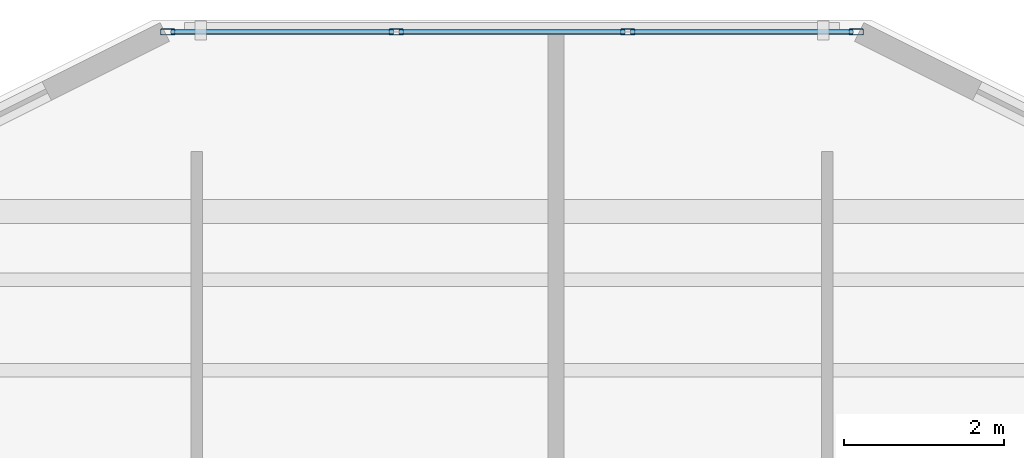
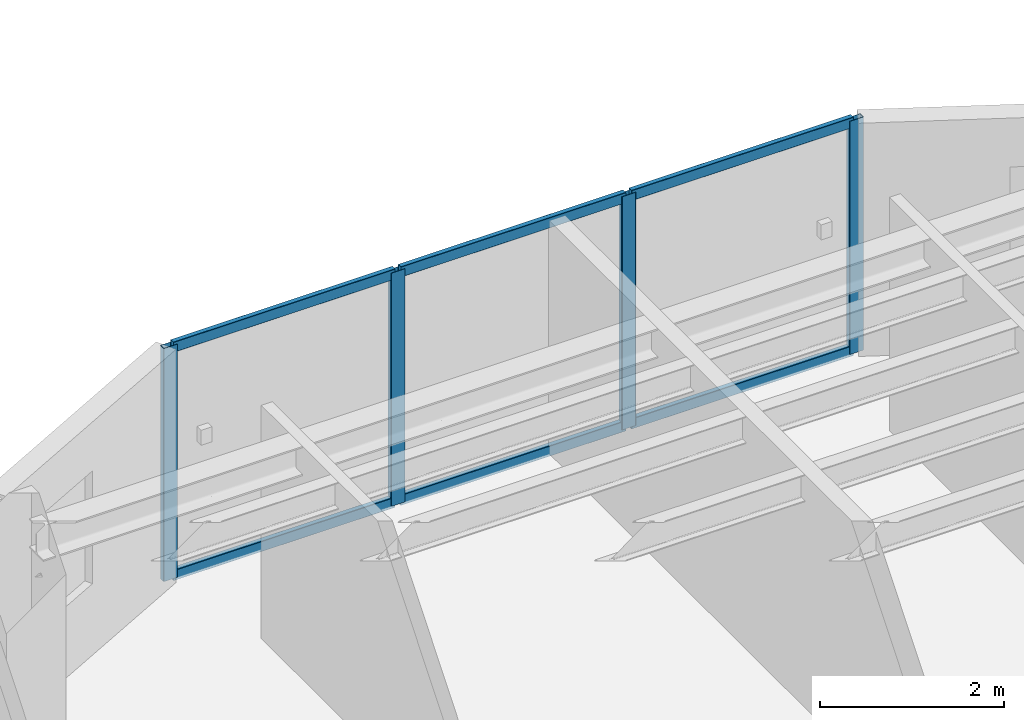
# One storey, part 4 of 14: 10 members, 1 element without a shape of its own.
"""IFC4 building model written with IfcOpenShell, lengths in metres."""

import ifcopenshell
import ifcopenshell.guid

model = None  # the IFC model being written
_history = None  # IfcOwnerHistory: only IFC2X3 demands one
_inside = {}  # id of a spatial element -> (the spatial element, [elements in it])
_under = {}  # id of a project, library or spatial element -> (it, [spatial elements below it])
_declared = {}  # id of a project -> (the project, [libraries it declares])
_typed = {}  # id of a type object -> (the type object, [elements of that type])
_made_of = {}  # id of a material, layer set ... -> (it, [elements and type objects made of it])


def new_model(schema):
    """Start an empty IFC model of exactly this schema.

    Asked for "IFC4X3", IfcOpenShell would pick the latest addendum, in which some entities
    have other attributes; the version numbers below select the first issue.
    IFC2X3 requires an IfcOwnerHistory on every rooted entity: one is made here for all.
    """
    global model, _history
    if schema == "IFC4X3":
        model = ifcopenshell.file(schema_version=(4, 3, 0, 0))
    else:
        model = ifcopenshell.file(schema=schema)
    _inside.clear()
    _under.clear()
    _declared.clear()
    _typed.clear()
    _made_of.clear()
    _history = None
    if model.schema == "IFC2X3":
        org = make("IfcOrganization", Name="unknown")
        user = make(
            "IfcPersonAndOrganization",
            ThePerson=make("IfcPerson", FamilyName="unknown"),
            TheOrganization=org,
        )
        app = make(
            "IfcApplication",
            ApplicationDeveloper=org,
            Version="unknown",
            ApplicationFullName="unknown",
            ApplicationIdentifier="unknown",
        )
        _history = make(
            "IfcOwnerHistory",
            OwningUser=user,
            OwningApplication=app,
            ChangeAction="ADDED",
            CreationDate=0,
        )
    return model


def make(cls, **values):
    """One entity of the class cls with the attributes given. An attribute that is None is left unset."""
    return model.create_entity(
        cls, **{name: value for name, value in values.items() if value is not None}
    )


def rooted(cls, **values):
    """An entity with a GlobalId (a new one), such as an element, a storey or a relation."""
    return make(cls, GlobalId=ifcopenshell.guid.new(), OwnerHistory=_history, **values)


def si_unit(unit_type, name, prefix=None):
    """IfcSIUnit, for example si_unit("LENGTHUNIT", "METRE", prefix="MILLI")."""
    return make("IfcSIUnit", UnitType=unit_type, Prefix=prefix, Name=name)


def assignment(units):
    """IfcUnitAssignment: the units of a project."""
    return None if units is None else make("IfcUnitAssignment", Units=units)


def point(xyz):
    """IfcCartesianPoint."""
    return None if xyz is None else make("IfcCartesianPoint", Coordinates=xyz)


def direction(xyz):
    """IfcDirection."""
    return None if xyz is None else make("IfcDirection", DirectionRatios=xyz)


def frame(location, z_axis=None, x_axis=None):
    """IfcAxis2Placement3D, a coordinate frame: its origin and axes. An axis left out is left unset."""
    return make(
        "IfcAxis2Placement3D",
        Location=point(location),
        Axis=direction(z_axis),
        RefDirection=direction(x_axis),
    )


def frame_2d(location, x_axis=None):
    """IfcAxis2Placement2D, a coordinate frame in the plane: its origin and x axis."""
    return make(
        "IfcAxis2Placement2D", Location=point(location), RefDirection=direction(x_axis)
    )


def origin():
    """The frame at (0, 0, 0) with its axes left unset."""
    return frame((0.0, 0.0, 0.0))


def origin_2d():
    """The frame at (0, 0) in the plane with its x axis left unset."""
    return frame_2d((0.0, 0.0))


def place(relative_to, where):
    """IfcLocalPlacement: puts the frame where relative to a parent placement (None: the world)."""
    return make(
        "IfcLocalPlacement", PlacementRelTo=relative_to, RelativePlacement=where
    )


def context(
    kind, dimensions, precision=None, world=None, true_north=None, identifier=None
):
    """IfcGeometricRepresentationContext, for example the 3D "Model" context."""
    return make(
        "IfcGeometricRepresentationContext",
        ContextIdentifier=identifier,
        ContextType=kind,
        CoordinateSpaceDimension=dimensions,
        Precision=precision,
        WorldCoordinateSystem=world,
        TrueNorth=true_north,
    )


def subcontext(parent, identifier, kind, view, scale=None):
    """IfcGeometricRepresentationSubContext, for example "Body" below "Model"."""
    return make(
        "IfcGeometricRepresentationSubContext",
        ContextIdentifier=identifier,
        ContextType=kind,
        ParentContext=parent,
        TargetScale=scale,
        TargetView=view,
    )


def project(units=None, contexts=None):
    """IfcProject with its units and contexts."""
    return rooted(
        "IfcProject",
        Name="project",
        RepresentationContexts=contexts,
        UnitsInContext=assignment(units),
    )


def spatial(cls, under=None, at=None, **own):
    """A site, building, storey or space (cls), placed at a placement, below another one or the project."""
    s = rooted(cls, ObjectPlacement=at, **own)
    if under is not None:
        _under.setdefault(under.id(), (under, []))[1].append(s)
    return s


def profile(cls, at=None, kind="AREA", **sizes):
    """A parametric profile (cls). Its sizes go by their IFC names, for example OverallWidth=200.0."""
    return make(cls, ProfileType=kind, Position=at, **sizes)


def hollow_rectangle(**sizes):
    """IfcRectangleHollowProfileDef."""
    return profile("IfcRectangleHollowProfileDef", **sizes)


def extrude(swept, where, along, depth):
    """IfcExtrudedAreaSolid: the profile swept, set in the frame where, extruded along a direction by depth."""
    return make(
        "IfcExtrudedAreaSolid",
        SweptArea=swept,
        Position=where,
        ExtrudedDirection=direction(along),
        Depth=depth,
    )


def shape(context_of_items, identifier, shape_type, items):
    """IfcShapeRepresentation: the items that make up one representation, for example the "Body"."""
    return make(
        "IfcShapeRepresentation",
        ContextOfItems=context_of_items,
        RepresentationIdentifier=identifier,
        RepresentationType=shape_type,
        Items=items,
    )


def material(Name=None, Category=None):
    """IfcMaterial."""
    return make("IfcMaterial", Name=Name, Category=Category)


def layer(
    of_material, thickness, ventilated=None, Name=None, Category=None, Priority=None
):
    """IfcMaterialLayer: one layer of a wall or slab, of a material (None: an air gap)."""
    return make(
        "IfcMaterialLayer",
        Material=of_material,
        LayerThickness=thickness,
        IsVentilated=ventilated,
        Name=Name,
        Category=Category,
        Priority=Priority,
    )


def layer_set(layers, Name=None):
    """IfcMaterialLayerSet."""
    return make("IfcMaterialLayerSet", MaterialLayers=layers, LayerSetName=Name)


def material_profile(
    of_material, cross_section, Name=None, Category=None, Priority=None
):
    """IfcMaterialProfile: a cross section and its material."""
    return make(
        "IfcMaterialProfile",
        Name=Name,
        Material=of_material,
        Profile=cross_section,
        Priority=Priority,
        Category=Category,
    )


def profile_set(profiles, Name=None, composite=None):
    """IfcMaterialProfileSet."""
    return make(
        "IfcMaterialProfileSet",
        Name=Name,
        MaterialProfiles=profiles,
        CompositeProfile=composite,
    )


def made_of(thing, what):
    """Note that an element or type object is made of a material, layer set ...; save() writes the relation."""
    if what is not None:
        _made_of.setdefault(what.id(), (what, []))[1].append(thing)
    return thing


def type_object(cls, material=None, **own):
    """A type object (cls), such as IfcWallType, which elements share."""
    return made_of(rooted(cls, **own), material)


def element(
    cls,
    number,
    at=None,
    inside=None,
    cuts=None,
    type_object=None,
    material=None,
    context=None,
    identifier="Body",
    shape_type=None,
    held_by="IfcProductDefinitionShape",
    body=None,
    shapes=None,
    **own,
):
    """One element of the class cls, such as IfcWall. Its Tag is "e" and its number.

    at: its placement. inside: the storey or other place that contains it. cuts: it is an
    opening in that element (IfcRelVoidsElement). A single representation is given by context,
    identifier, shape_type and body (its items); several are given by shapes. held_by: the class
    of the entity that holds the representations. save() writes the other relations.
    """
    e = rooted(cls, Tag="e%d" % number, ObjectPlacement=at, **own)
    if body is not None:
        shapes = [shape(context, identifier, shape_type, body)]
    if shapes is not None:
        e.Representation = make(held_by, Representations=shapes)
    if inside is not None:
        _inside.setdefault(inside.id(), (inside, []))[1].append(e)
    if cuts is not None:
        rooted(
            "IfcRelVoidsElement", RelatingBuildingElement=cuts, RelatedOpeningElement=e
        )
    if type_object is not None:
        _typed.setdefault(type_object.id(), (type_object, []))[1].append(e)
    return made_of(e, material)


def aggregate(whole, parts):
    """IfcRelAggregates: a whole, such as a stair, and the parts it consists of."""
    return rooted("IfcRelAggregates", RelatingObject=whole, RelatedObjects=parts)


def save(model, path):
    """Write the relations noted so far, then the file.

    IfcRelAggregates (storeys below a building ...), IfcRelContainedInSpatialStructure (elements
    in a storey), IfcRelDefinesByType, IfcRelAssociatesMaterial and IfcRelDeclares: one each for
    every whole, place, type object, material and project.
    """
    for whole, parts in _under.values():
        aggregate(whole, parts)
    for where, things in _inside.values():
        rooted(
            "IfcRelContainedInSpatialStructure",
            RelatedElements=things,
            RelatingStructure=where,
        )
    for kind, things in _typed.values():
        rooted("IfcRelDefinesByType", RelatedObjects=things, RelatingType=kind)
    for what, things in _made_of.values():
        rooted("IfcRelAssociatesMaterial", RelatedObjects=things, RelatingMaterial=what)
    for by, libraries in _declared.values():
        rooted("IfcRelDeclares", RelatingContext=by, RelatedDefinitions=libraries)
    model.write(path)


model = new_model("IFC4")

# Units and contexts
model_context = context("Model", 3, precision=1e-05, world=origin(), true_north=direction((0.0, 1.0)))
body_context = subcontext(model_context, "Body", "Model", "MODEL_VIEW")
ifc_project = project(units=[si_unit("LENGTHUNIT", "METRE"), si_unit("AREAUNIT", "SQUARE_METRE"), si_unit("VOLUMEUNIT", "CUBIC_METRE"), si_unit("PLANEANGLEUNIT", "RADIAN"), si_unit("MASSUNIT", "GRAM", prefix="KILO")], contexts=[model_context])

# Site, building, storey
site_placement = place(None, origin())
site = spatial("IfcSite", under=ifc_project, at=site_placement, CompositionType="ELEMENT")
building_placement = place(site_placement, origin())
building = spatial("IfcBuilding", under=site, at=building_placement, Name="Tarnavaz Court Tower", CompositionType="ELEMENT")
storey_placement = place(building_placement, frame((0.0, 0.0, 190.25)))
storey = spatial("IfcBuildingStorey", under=building, at=storey_placement, Name="L51", CompositionType="ELEMENT", Elevation=190.25)

# Curtain wall, members
ifc_material_1 = material(Name="Anodised Aluminium 6063-T6 and Solar Low-E Glazing", Category="aluminium")
ifc_layer = layer(ifc_material_1, 0.159912109375)
ifc_layer_set = layer_set([ifc_layer], Name="Anodised Aluminium 6063-T6 and Solar Low-E Glazing")
curtain_wall_type = type_object("IfcCurtainWallType", Name="CW-SYS-03", PredefinedType="NOTDEFINED", material=ifc_layer_set)
curtain_wall_placement = place(storey_placement, origin())
curtain_wall = element("IfcCurtainWall", 1, at=curtain_wall_placement, inside=storey, type_object=curtain_wall_type, Name="L51 Iwan Prow Curtain Wall 7", PredefinedType="NOTDEFINED")
ifc_material_2 = material(Name="Anodised Aluminium 6063-T6", Category="aluminium")
ifc_material_profile_1 = material_profile(ifc_material_2, hollow_rectangle(XDim=0.074951171875, YDim=0.179931640625, WallThickness=0.0048828125, InnerFilletRadius=0.0048828125, OuterFilletRadius=0.010009765625, at=origin_2d()), Name="ALU RHS 180X75X5")
ifc_profile_set_1 = profile_set([ifc_material_profile_1], Name="Anodised Aluminium 6063-T6")
member_type_1 = type_object("IfcMemberType", Name="CW-MUL-180", PredefinedType="MULLION", material=ifc_profile_set_1)
member_1_placement = place(storey_placement, frame((-4.3125, 22.35009765625, 0.0), z_axis=(0.0, 0.0, 1.0), x_axis=(0.0, 1.0, 0.0)))
member_1 = element("IfcMember", 2, at=member_1_placement, type_object=member_type_1, Name="CW mullion 1", PredefinedType="MULLION", context=body_context, shape_type="SweptSolid", body=[
    extrude(hollow_rectangle(XDim=0.074951171875, YDim=0.179931640625, WallThickness=0.0048828125, InnerFilletRadius=0.0048828125, OuterFilletRadius=0.010009765625, at=origin_2d()), origin(), (0.0, 0.0, 1.0), 3.10009765625),
])
member_2_placement = place(storey_placement, frame((-1.449951171875, 22.35009765625, 0.0), z_axis=(0.0, 0.0, 1.0), x_axis=(0.0, 1.0, 0.0)))
member_2 = element("IfcMember", 3, at=member_2_placement, type_object=member_type_1, Name="CW mullion 2", PredefinedType="MULLION", context=body_context, shape_type="SweptSolid", body=[
    extrude(hollow_rectangle(XDim=0.074951171875, YDim=0.179931640625, WallThickness=0.0048828125, InnerFilletRadius=0.0048828125, OuterFilletRadius=0.010009765625, at=origin_2d()), origin(), (0.0, 0.0, 1.0), 3.10009765625),
])
member_3_placement = place(storey_placement, frame((1.449951171875, 22.35009765625, 0.0), z_axis=(0.0, 0.0, 1.0), x_axis=(0.0, 1.0, 0.0)))
member_3 = element("IfcMember", 4, at=member_3_placement, type_object=member_type_1, Name="CW mullion 3", PredefinedType="MULLION", context=body_context, shape_type="SweptSolid", body=[
    extrude(hollow_rectangle(XDim=0.074951171875, YDim=0.179931640625, WallThickness=0.0048828125, InnerFilletRadius=0.0048828125, OuterFilletRadius=0.010009765625, at=origin_2d()), origin(), (0.0, 0.0, 1.0), 3.10009765625),
])
member_4_placement = place(storey_placement, frame((4.3125, 22.35009765625, 0.0), z_axis=(0.0, 0.0, 1.0), x_axis=(0.0, 1.0, 0.0)))
member_4 = element("IfcMember", 5, at=member_4_placement, type_object=member_type_1, Name="CW mullion 4", PredefinedType="MULLION", context=body_context, shape_type="SweptSolid", body=[
    extrude(hollow_rectangle(XDim=0.074951171875, YDim=0.179931640625, WallThickness=0.0048828125, InnerFilletRadius=0.0048828125, OuterFilletRadius=0.010009765625, at=origin_2d()), origin(), (0.0, 0.0, 1.0), 3.10009765625),
])
ifc_material_profile_2 = material_profile(ifc_material_2, hollow_rectangle(XDim=0.06494140625, YDim=0.139892578125, WallThickness=0.00390625, InnerFilletRadius=0.00390625, OuterFilletRadius=0.008056640625, at=origin_2d()), Name="ALU RHS 140X65X4")
ifc_profile_set_2 = profile_set([ifc_material_profile_2], Name="Anodised Aluminium 6063-T6")
member_type_2 = type_object("IfcMemberType", Name="CW-TRN-140", PredefinedType="USERDEFINED", material=ifc_profile_set_2)
member_5_placement = place(storey_placement, frame((-4.27490234375, 22.35009765625, 0.032470703125), z_axis=(1.0, 0.0, 0.0), x_axis=(0.0, 1.0, 0.0)))
member_5 = element("IfcMember", 6, at=member_5_placement, type_object=member_type_2, Name="CW transom 1.1", ObjectType="TRANSOM", PredefinedType="USERDEFINED", context=body_context, shape_type="SweptSolid", body=[
    extrude(hollow_rectangle(XDim=0.06494140625, YDim=0.139892578125, WallThickness=0.00390625, InnerFilletRadius=0.00390625, OuterFilletRadius=0.008056640625, at=origin_2d()), origin(), (0.0, 0.0, 1.0), 2.787353515625),
])
member_6_placement = place(storey_placement, frame((-4.27490234375, 22.35009765625, 3.0673828125), z_axis=(1.0, 0.0, 0.0), x_axis=(0.0, 1.0, 0.0)))
member_6 = element("IfcMember", 7, at=member_6_placement, type_object=member_type_2, Name="CW transom 1.2", ObjectType="TRANSOM", PredefinedType="USERDEFINED", context=body_context, shape_type="SweptSolid", body=[
    extrude(hollow_rectangle(XDim=0.06494140625, YDim=0.139892578125, WallThickness=0.00390625, InnerFilletRadius=0.00390625, OuterFilletRadius=0.008056640625, at=origin_2d()), origin(), (0.0, 0.0, 1.0), 2.787353515625),
])
member_7_placement = place(storey_placement, frame((-1.41259765625, 22.35009765625, 0.032470703125), z_axis=(1.0, 0.0, 0.0), x_axis=(0.0, 1.0, 0.0)))
member_7 = element("IfcMember", 8, at=member_7_placement, type_object=member_type_2, Name="CW transom 2.1", ObjectType="TRANSOM", PredefinedType="USERDEFINED", context=body_context, shape_type="SweptSolid", body=[
    extrude(hollow_rectangle(XDim=0.06494140625, YDim=0.139892578125, WallThickness=0.00390625, InnerFilletRadius=0.00390625, OuterFilletRadius=0.008056640625, at=origin_2d()), origin(), (0.0, 0.0, 1.0), 2.8251953125),
])
member_8_placement = place(storey_placement, frame((-1.41259765625, 22.35009765625, 3.0673828125), z_axis=(1.0, 0.0, 0.0), x_axis=(0.0, 1.0, 0.0)))
member_8 = element("IfcMember", 9, at=member_8_placement, type_object=member_type_2, Name="CW transom 2.2", ObjectType="TRANSOM", PredefinedType="USERDEFINED", context=body_context, shape_type="SweptSolid", body=[
    extrude(hollow_rectangle(XDim=0.06494140625, YDim=0.139892578125, WallThickness=0.00390625, InnerFilletRadius=0.00390625, OuterFilletRadius=0.008056640625, at=origin_2d()), origin(), (0.0, 0.0, 1.0), 2.8251953125),
])
member_9_placement = place(storey_placement, frame((1.487548828125, 22.35009765625, 0.032470703125), z_axis=(1.0, 0.0, 0.0), x_axis=(0.0, 1.0, 0.0)))
member_9 = element("IfcMember", 10, at=member_9_placement, type_object=member_type_2, Name="CW transom 3.1", ObjectType="TRANSOM", PredefinedType="USERDEFINED", context=body_context, shape_type="SweptSolid", body=[
    extrude(hollow_rectangle(XDim=0.06494140625, YDim=0.139892578125, WallThickness=0.00390625, InnerFilletRadius=0.00390625, OuterFilletRadius=0.008056640625, at=origin_2d()), origin(), (0.0, 0.0, 1.0), 2.787353515625),
])
member_10_placement = place(storey_placement, frame((1.487548828125, 22.35009765625, 3.0673828125), z_axis=(1.0, 0.0, 0.0), x_axis=(0.0, 1.0, 0.0)))
member_10 = element("IfcMember", 11, at=member_10_placement, type_object=member_type_2, Name="CW transom 3.2", ObjectType="TRANSOM", PredefinedType="USERDEFINED", context=body_context, shape_type="SweptSolid", body=[
    extrude(hollow_rectangle(XDim=0.06494140625, YDim=0.139892578125, WallThickness=0.00390625, InnerFilletRadius=0.00390625, OuterFilletRadius=0.008056640625, at=origin_2d()), origin(), (0.0, 0.0, 1.0), 2.787353515625),
])
aggregate(curtain_wall, [member_1, member_2, member_3, member_4, member_5, member_6, member_7, member_8, member_9, member_10])

save(model, "model.ifc")
